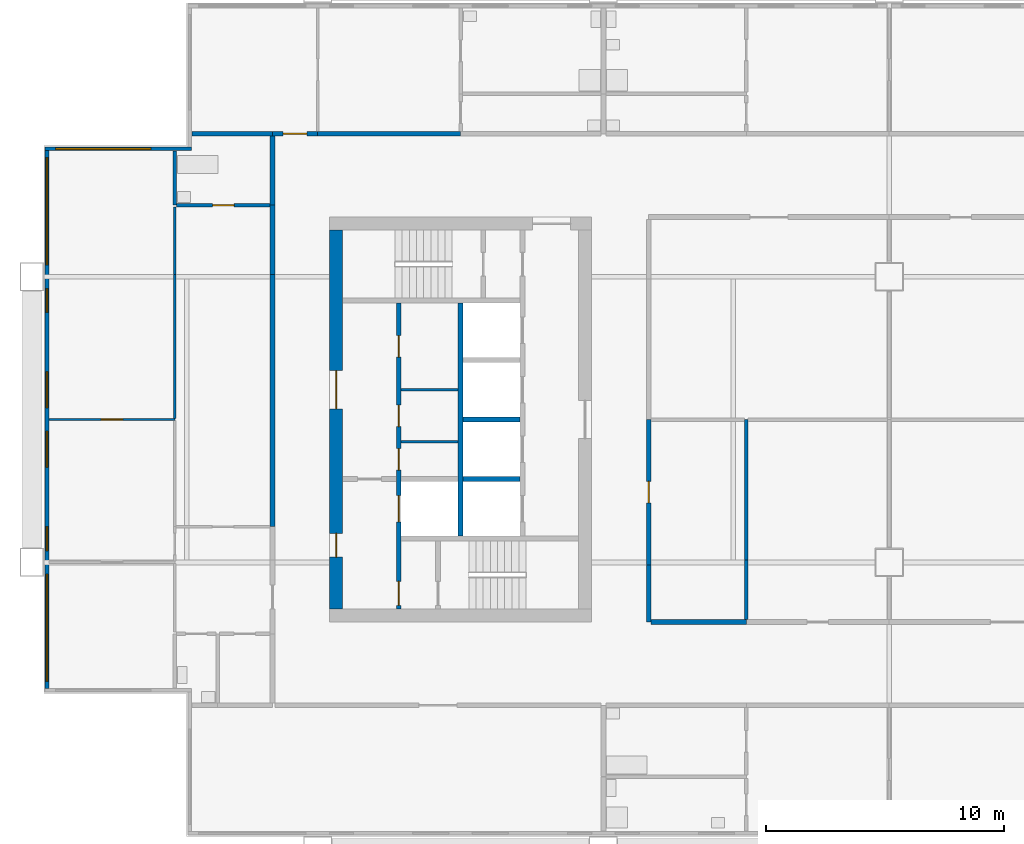
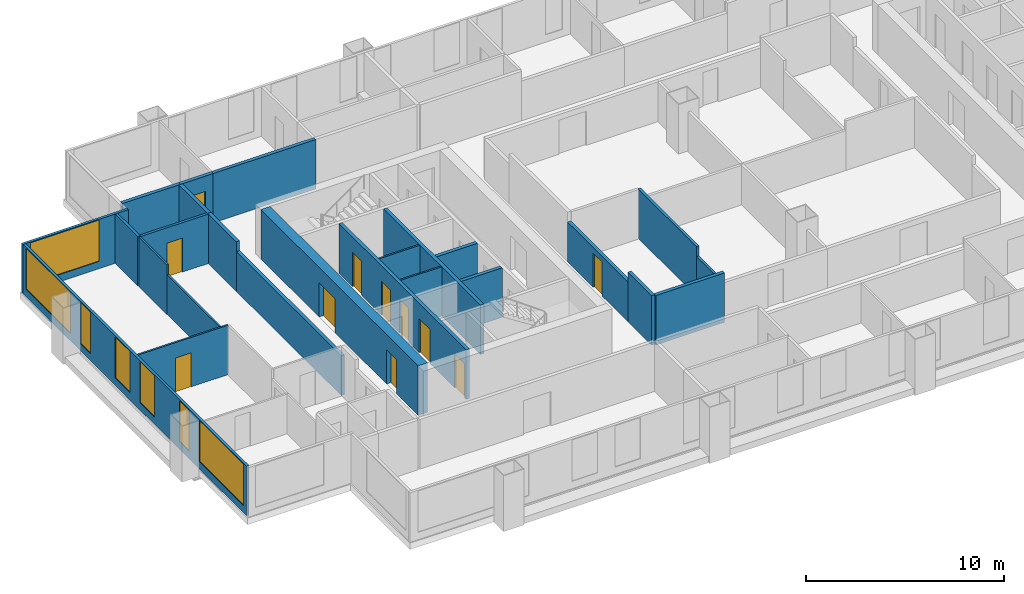
# One storey, part 3 of 9: 25 walls, 11 doors, 7 windows, 18 openings.
"""IFC4 building model written with IfcOpenShell, lengths in metres."""

import ifcopenshell
import ifcopenshell.guid

model = None  # the IFC model being written
_history = None  # IfcOwnerHistory: only IFC2X3 demands one
_inside = {}  # id of a spatial element -> (the spatial element, [elements in it])
_under = {}  # id of a project, library or spatial element -> (it, [spatial elements below it])
_declared = {}  # id of a project -> (the project, [libraries it declares])
_typed = {}  # id of a type object -> (the type object, [elements of that type])
_made_of = {}  # id of a material, layer set ... -> (it, [elements and type objects made of it])


def new_model(schema):
    """Start an empty IFC model of exactly this schema.

    Asked for "IFC4X3", IfcOpenShell would pick the latest addendum, in which some entities
    have other attributes; the version numbers below select the first issue.
    IFC2X3 requires an IfcOwnerHistory on every rooted entity: one is made here for all.
    """
    global model, _history
    if schema == "IFC4X3":
        model = ifcopenshell.file(schema_version=(4, 3, 0, 0))
    else:
        model = ifcopenshell.file(schema=schema)
    _inside.clear()
    _under.clear()
    _declared.clear()
    _typed.clear()
    _made_of.clear()
    _history = None
    if model.schema == "IFC2X3":
        org = make("IfcOrganization", Name="unknown")
        user = make(
            "IfcPersonAndOrganization",
            ThePerson=make("IfcPerson", FamilyName="unknown"),
            TheOrganization=org,
        )
        app = make(
            "IfcApplication",
            ApplicationDeveloper=org,
            Version="unknown",
            ApplicationFullName="unknown",
            ApplicationIdentifier="unknown",
        )
        _history = make(
            "IfcOwnerHistory",
            OwningUser=user,
            OwningApplication=app,
            ChangeAction="ADDED",
            CreationDate=0,
        )
    return model


def make(cls, **values):
    """One entity of the class cls with the attributes given. An attribute that is None is left unset."""
    return model.create_entity(
        cls, **{name: value for name, value in values.items() if value is not None}
    )


def rooted(cls, **values):
    """An entity with a GlobalId (a new one), such as an element, a storey or a relation."""
    return make(cls, GlobalId=ifcopenshell.guid.new(), OwnerHistory=_history, **values)


def si_unit(unit_type, name, prefix=None):
    """IfcSIUnit, for example si_unit("LENGTHUNIT", "METRE", prefix="MILLI")."""
    return make("IfcSIUnit", UnitType=unit_type, Prefix=prefix, Name=name)


def assignment(units):
    """IfcUnitAssignment: the units of a project."""
    return None if units is None else make("IfcUnitAssignment", Units=units)


def point(xyz):
    """IfcCartesianPoint."""
    return None if xyz is None else make("IfcCartesianPoint", Coordinates=xyz)


def direction(xyz):
    """IfcDirection."""
    return None if xyz is None else make("IfcDirection", DirectionRatios=xyz)


def frame(location, z_axis=None, x_axis=None):
    """IfcAxis2Placement3D, a coordinate frame: its origin and axes. An axis left out is left unset."""
    return make(
        "IfcAxis2Placement3D",
        Location=point(location),
        Axis=direction(z_axis),
        RefDirection=direction(x_axis),
    )


def frame_2d(location, x_axis=None):
    """IfcAxis2Placement2D, a coordinate frame in the plane: its origin and x axis."""
    return make(
        "IfcAxis2Placement2D", Location=point(location), RefDirection=direction(x_axis)
    )


def origin():
    """The frame at (0, 0, 0) with its axes left unset."""
    return frame((0.0, 0.0, 0.0))


def place(relative_to, where):
    """IfcLocalPlacement: puts the frame where relative to a parent placement (None: the world)."""
    return make(
        "IfcLocalPlacement", PlacementRelTo=relative_to, RelativePlacement=where
    )


def context(
    kind, dimensions, precision=None, world=None, true_north=None, identifier=None
):
    """IfcGeometricRepresentationContext, for example the 3D "Model" context."""
    return make(
        "IfcGeometricRepresentationContext",
        ContextIdentifier=identifier,
        ContextType=kind,
        CoordinateSpaceDimension=dimensions,
        Precision=precision,
        WorldCoordinateSystem=world,
        TrueNorth=true_north,
    )


def subcontext(parent, identifier, kind, view, scale=None):
    """IfcGeometricRepresentationSubContext, for example "Body" below "Model"."""
    return make(
        "IfcGeometricRepresentationSubContext",
        ContextIdentifier=identifier,
        ContextType=kind,
        ParentContext=parent,
        TargetScale=scale,
        TargetView=view,
    )


def project(units=None, contexts=None):
    """IfcProject with its units and contexts."""
    return rooted(
        "IfcProject",
        Name="project",
        RepresentationContexts=contexts,
        UnitsInContext=assignment(units),
    )


def spatial(cls, under=None, at=None, **own):
    """A site, building, storey or space (cls), placed at a placement, below another one or the project."""
    s = rooted(cls, ObjectPlacement=at, **own)
    if under is not None:
        _under.setdefault(under.id(), (under, []))[1].append(s)
    return s


def profile(cls, at=None, kind="AREA", **sizes):
    """A parametric profile (cls). Its sizes go by their IFC names, for example OverallWidth=200.0."""
    return make(cls, ProfileType=kind, Position=at, **sizes)


def rectangle(**sizes):
    """IfcRectangleProfileDef."""
    return profile("IfcRectangleProfileDef", **sizes)


def extrude(swept, where, along, depth):
    """IfcExtrudedAreaSolid: the profile swept, set in the frame where, extruded along a direction by depth."""
    return make(
        "IfcExtrudedAreaSolid",
        SweptArea=swept,
        Position=where,
        ExtrudedDirection=direction(along),
        Depth=depth,
    )


def shape(context_of_items, identifier, shape_type, items):
    """IfcShapeRepresentation: the items that make up one representation, for example the "Body"."""
    return make(
        "IfcShapeRepresentation",
        ContextOfItems=context_of_items,
        RepresentationIdentifier=identifier,
        RepresentationType=shape_type,
        Items=items,
    )


def material(Name=None, Category=None):
    """IfcMaterial."""
    return make("IfcMaterial", Name=Name, Category=Category)


def layer(
    of_material, thickness, ventilated=None, Name=None, Category=None, Priority=None
):
    """IfcMaterialLayer: one layer of a wall or slab, of a material (None: an air gap)."""
    return make(
        "IfcMaterialLayer",
        Material=of_material,
        LayerThickness=thickness,
        IsVentilated=ventilated,
        Name=Name,
        Category=Category,
        Priority=Priority,
    )


def layer_set(layers, Name=None):
    """IfcMaterialLayerSet."""
    return make("IfcMaterialLayerSet", MaterialLayers=layers, LayerSetName=Name)


def made_of(thing, what):
    """Note that an element or type object is made of a material, layer set ...; save() writes the relation."""
    if what is not None:
        _made_of.setdefault(what.id(), (what, []))[1].append(thing)
    return thing


def type_object(cls, material=None, **own):
    """A type object (cls), such as IfcWallType, which elements share."""
    return made_of(rooted(cls, **own), material)


def element(
    cls,
    number,
    at=None,
    inside=None,
    cuts=None,
    type_object=None,
    material=None,
    context=None,
    identifier="Body",
    shape_type=None,
    held_by="IfcProductDefinitionShape",
    body=None,
    shapes=None,
    **own,
):
    """One element of the class cls, such as IfcWall. Its Tag is "e" and its number.

    at: its placement. inside: the storey or other place that contains it. cuts: it is an
    opening in that element (IfcRelVoidsElement). A single representation is given by context,
    identifier, shape_type and body (its items); several are given by shapes. held_by: the class
    of the entity that holds the representations. save() writes the other relations.
    """
    e = rooted(cls, Tag="e%d" % number, ObjectPlacement=at, **own)
    if body is not None:
        shapes = [shape(context, identifier, shape_type, body)]
    if shapes is not None:
        e.Representation = make(held_by, Representations=shapes)
    if inside is not None:
        _inside.setdefault(inside.id(), (inside, []))[1].append(e)
    if cuts is not None:
        rooted(
            "IfcRelVoidsElement", RelatingBuildingElement=cuts, RelatedOpeningElement=e
        )
    if type_object is not None:
        _typed.setdefault(type_object.id(), (type_object, []))[1].append(e)
    return made_of(e, material)


def fill(opening, filler):
    """IfcRelFillsElement: the door or window that sits in an opening."""
    return rooted(
        "IfcRelFillsElement",
        RelatingOpeningElement=opening,
        RelatedBuildingElement=filler,
    )


def aggregate(whole, parts):
    """IfcRelAggregates: a whole, such as a stair, and the parts it consists of."""
    return rooted("IfcRelAggregates", RelatingObject=whole, RelatedObjects=parts)


def save(model, path):
    """Write the relations noted so far, then the file.

    IfcRelAggregates (storeys below a building ...), IfcRelContainedInSpatialStructure (elements
    in a storey), IfcRelDefinesByType, IfcRelAssociatesMaterial and IfcRelDeclares: one each for
    every whole, place, type object, material and project.
    """
    for whole, parts in _under.values():
        aggregate(whole, parts)
    for where, things in _inside.values():
        rooted(
            "IfcRelContainedInSpatialStructure",
            RelatedElements=things,
            RelatingStructure=where,
        )
    for kind, things in _typed.values():
        rooted("IfcRelDefinesByType", RelatedObjects=things, RelatingType=kind)
    for what, things in _made_of.values():
        rooted("IfcRelAssociatesMaterial", RelatedObjects=things, RelatingMaterial=what)
    for by, libraries in _declared.values():
        rooted("IfcRelDeclares", RelatingContext=by, RelatedDefinitions=libraries)
    model.write(path)


model = new_model("IFC4")

# Units and contexts
model_context = context("Model", 3, precision=1e-05, world=origin(), true_north=direction((0.0, 1.0)))
body_context = subcontext(model_context, "Body", "Model", "MODEL_VIEW")
ifc_project = project(units=[si_unit("LENGTHUNIT", "METRE"), si_unit("AREAUNIT", "SQUARE_METRE"), si_unit("VOLUMEUNIT", "CUBIC_METRE"), si_unit("PLANEANGLEUNIT", "RADIAN"), si_unit("MASSUNIT", "GRAM", prefix="KILO")], contexts=[model_context])

# Site, building, storey
site_placement = place(None, origin())
site = spatial("IfcSite", under=ifc_project, at=site_placement, CompositionType="ELEMENT")
building_placement = place(site_placement, origin())
building = spatial("IfcBuilding", under=site, at=building_placement, Name="Kitamizu Gate Tower and Museum", CompositionType="ELEMENT")
storey_placement = place(building_placement, frame((0.0, 0.0, 206.550048828125)))
storey = spatial("IfcBuildingStorey", under=building, at=storey_placement, Name="L55", CompositionType="ELEMENT", Elevation=206.550048828125)

# Wall, openings, doors
ifc_material_1 = material(Name="Concrete Fc42", Category="concrete")
ifc_layer_1 = layer(ifc_material_1, 0.550048828125)
ifc_layer_set_1 = layer_set([ifc_layer_1], Name="Concrete Fc42")
wall_type_1 = type_object("IfcWallType", Name="Core wall 550", PredefinedType="SHEAR", material=ifc_layer_set_1)
wall_1_placement = place(storey_placement, frame((12.77490234375, 22.050048828125, 0.0), z_axis=(0.0, 0.0, 1.0), x_axis=(0.0, 1.0, 0.0)))
wall_1 = element("IfcWall", 1, at=wall_1_placement, inside=storey, type_object=wall_type_1, Name="Core wall WOUT", PredefinedType="SHEAR", context=body_context, shape_type="SweptSolid", body=[
    extrude(rectangle(XDim=15.89990234375, YDim=0.550048828125, at=frame_2d((7.949951171875, 0.0))), origin(), (0.0, 0.0, 1.0), 3.050048828125),
])
opening_1_placement = place(wall_1_placement, frame((8.39990234375, 0.0, 0.0)))
opening_1 = element("IfcOpeningElement", 2, at=opening_1_placement, cuts=wall_1, Name="Opening L55-037", PredefinedType="OPENING", context=body_context, shape_type="SweptSolid", body=[
    extrude(rectangle(XDim=1.60009765625, YDim=2.10009765625, at=frame_2d((0.800048828125, 1.050048828125))), frame((0.0, 0.28515625, 0.0), z_axis=(0.0, -1.0, 0.0), x_axis=(1.0, 0.0, 0.0)), (0.0, 0.0, 1.0), 0.570068359375),
])
opening_2_placement = place(wall_1_placement, frame((2.175048828125, 0.0, 0.0)))
opening_2 = element("IfcOpeningElement", 3, at=opening_2_placement, cuts=wall_1, Name="Opening L55-038", PredefinedType="OPENING", context=body_context, shape_type="SweptSolid", body=[
    extrude(rectangle(XDim=1.0, YDim=2.10009765625, at=frame_2d((0.5, 1.050048828125))), frame((0.0, 0.28515625, 0.0), z_axis=(0.0, -1.0, 0.0), x_axis=(1.0, 0.0, 0.0)), (0.0, 0.0, 1.0), 0.570068359375),
])
ifc_material_2 = material(Name="Timber door set", Category="wood")
door_type_1 = type_object("IfcDoorType", Name="Entrance door 1600", OperationType="DOUBLE_DOOR_SINGLE_SWING", PredefinedType="DOOR", material=ifc_material_2)
door_1_placement = place(opening_1_placement, origin())
door_1 = element("IfcDoor", 4, at=door_1_placement, inside=storey, type_object=door_type_1, Name="Lobby door L55-037", OperationType="DOUBLE_DOOR_SINGLE_SWING", OverallHeight=2.10009765625, OverallWidth=1.60009765625, PredefinedType="DOOR", context=body_context, shape_type="SweptSolid", body=[
    extrude(rectangle(XDim=1.60009765625, YDim=2.10009765625, at=frame_2d((0.800048828125, 1.050048828125))), frame((0.0, 0.02490234375, 0.0), z_axis=(0.0, -1.0, 0.0), x_axis=(1.0, 0.0, 0.0)), (0.0, 0.0, 1.0), 0.050048828125),
])
fill(opening_1, door_1)
ifc_material_3 = material(Name="Hollow metal door set")
door_type_2 = type_object("IfcDoorType", Name="Fire door 1000", OperationType="NOTDEFINED", PredefinedType="DOOR", material=ifc_material_3)
door_2_placement = place(opening_2_placement, frame((1.0, 0.0, 0.0), x_axis=(-1.0, 0.0, 0.0)))
door_2 = element("IfcDoor", 5, at=door_2_placement, inside=storey, type_object=door_type_2, Name="Fire-fighting lobby door L55-038", OperationType="SINGLE_SWING_LEFT", OverallHeight=2.10009765625, OverallWidth=1.0, PredefinedType="DOOR", context=body_context, shape_type="SweptSolid", body=[
    extrude(rectangle(XDim=1.0, YDim=2.10009765625, at=frame_2d((0.5, 1.050048828125))), frame((0.0, 0.02490234375, 0.0), z_axis=(0.0, -1.0, 0.0), x_axis=(1.0, 0.0, 0.0)), (0.0, 0.0, 1.0), 0.050048828125),
])
fill(opening_2, door_2)

# Walls
ifc_material_4 = material(Name="Gypsum board on galvanised stud")
ifc_layer_2 = layer(ifc_material_4, 0.10009765625)
ifc_layer_set_2 = layer_set([ifc_layer_2], Name="Gypsum board on galvanised stud")
wall_type_2 = type_object("IfcWallType", Name="Partition 100", PredefinedType="PARTITIONING", material=ifc_layer_set_2)
for number, where, z_axis, x_axis, name in (
    (6, (15.5, 29.06005859375, 0.0), (0.0, 0.0, 1.0), (1.0, 0.0, 0.0), "Partition WPF1"),
    (7, (15.5, 31.25, 0.0), (0.0, 0.0, 1.0), (1.0, 0.0, 0.0), "Partition WPF2"),
):
    element("IfcWall", number, at=place(storey_placement, frame(where, z_axis=z_axis, x_axis=x_axis)), inside=storey, type_object=wall_type_2, Name=name, PredefinedType="PARTITIONING", context=body_context, shape_type="SweptSolid", body=[
        extrude(rectangle(XDim=2.39990234375, YDim=0.10009765625, at=frame_2d((1.199951171875, 0.0))), origin(), (0.0, 0.0, 1.0), 3.050048828125),
    ])

# Wall, opening, door
ifc_material_5 = material(Name="Gypsum board on galvanised stud")
ifc_layer_3 = layer(ifc_material_5, 0.10009765625)
ifc_layer_set_3 = layer_set([ifc_layer_3], Name="Gypsum board on galvanised stud")
wall_type_3 = type_object("IfcWallType", Name="Partition 100 NOT RATED", PredefinedType="PARTITIONING", material=ifc_layer_set_3)
wall_2_placement = place(storey_placement, frame((6.0, 30.0, 0.0), z_axis=(0.0, 0.0, 1.0), x_axis=(-1.0, 0.0, 0.0)))
wall_2 = element("IfcWall", 8, at=wall_2_placement, inside=storey, type_object=wall_type_3, Name="Partition L55-038", PredefinedType="PARTITIONING", context=body_context, shape_type="SweptSolid", body=[
    extrude(rectangle(XDim=5.280029296875, YDim=0.10009765625, at=frame_2d((2.64013671875, 0.0))), origin(), (0.0, 0.0, 1.0), 3.050048828125),
])
opening_3_placement = place(wall_2_placement, frame((2.18994140625, 0.0, 0.0)))
opening_3 = element("IfcOpeningElement", 9, at=opening_3_placement, cuts=wall_2, Name="Opening L55-020", PredefinedType="OPENING", context=body_context, shape_type="SweptSolid", body=[
    extrude(rectangle(XDim=0.89990234375, YDim=2.10009765625, at=frame_2d((0.449951171875, 1.050048828125))), frame((0.0, 0.06005859375, 0.0), z_axis=(0.0, -1.0, 0.0), x_axis=(1.0, 0.0, 0.0)), (0.0, 0.0, 1.0), 0.1201171875),
])
ifc_material_6 = material(Name="Timber door set", Category="wood")
door_type_3 = type_object("IfcDoorType", Name="Room door 900", OperationType="NOTDEFINED", PredefinedType="DOOR", material=ifc_material_6)
door_3_placement = place(opening_3_placement, origin())
door_3 = element("IfcDoor", 10, at=door_3_placement, inside=storey, type_object=door_type_3, Name="Door L55-020", OperationType="SINGLE_SWING_RIGHT", OverallHeight=2.10009765625, OverallWidth=0.89990234375, PredefinedType="DOOR", context=body_context, shape_type="SweptSolid", body=[
    extrude(rectangle(XDim=0.89990234375, YDim=2.10009765625, at=frame_2d((0.449951171875, 1.050048828125))), frame((0.0, 0.02490234375, 0.0), z_axis=(0.0, -1.0, 0.0), x_axis=(1.0, 0.0, 0.0)), (0.0, 0.0, 1.0), 0.050048828125),
])
fill(opening_3, door_3)

# Walls
wall_3_placement = place(storey_placement, frame((6.0, 30.050048828125, 0.0), z_axis=(0.0, 0.0, 1.0), x_axis=(0.0, 1.0, 0.0)))
element("IfcWall", 11, at=wall_3_placement, inside=storey, type_object=wall_type_3, Name="Partition L55-041", PredefinedType="PARTITIONING", context=body_context, shape_type="SweptSolid", body=[
    extrude(rectangle(XDim=6.050048828125, YDim=0.10009765625, at=frame_2d((3.02490234375, 0.0))), origin(), (0.0, 0.0, 1.0), 2.449951171875),
])
wall_4_placement = place(storey_placement, frame((6.0, 36.10009765625, 0.0), z_axis=(0.0, 0.0, 1.0), x_axis=(0.0, 1.0, 0.0)))
element("IfcWall", 12, at=wall_4_placement, inside=storey, type_object=wall_type_3, Name="Partition L55-042", PredefinedType="PARTITIONING", context=body_context, shape_type="SweptSolid", body=[
    extrude(rectangle(XDim=2.824951171875, YDim=0.10009765625, at=frame_2d((1.41259765625, 0.0))), origin(), (0.0, 0.0, 1.0), 3.050048828125),
])
ifc_material_7 = material(Name="Gypsum board on galvanised stud")
ifc_layer_4 = layer(ifc_material_7, 0.14990234375)
ifc_layer_set_4 = layer_set([ifc_layer_4], Name="Gypsum board on galvanised stud")
wall_type_4 = type_object("IfcWallType", Name="Partition 150", PredefinedType="PARTITIONING", material=ifc_layer_set_4)
wall_5_placement = place(storey_placement, frame((6.0, 39.0, 0.0), z_axis=(0.0, 0.0, 1.0), x_axis=(0.0, 1.0, 0.0)))
element("IfcWall", 13, at=wall_5_placement, inside=storey, type_object=wall_type_4, Name="Partition L55-043", PredefinedType="PARTITIONING", context=body_context, shape_type="SweptSolid", body=[
    extrude(rectangle(XDim=2.280029296875, YDim=0.14990234375, at=frame_2d((1.14013671875, 0.0))), origin(), (0.0, 0.0, 1.0), 3.050048828125),
])

# Wall, opening, door
wall_6_placement = place(storey_placement, frame((10.0, 39.0, 0.0), z_axis=(0.0, 0.0, 1.0), x_axis=(-1.0, 0.0, 0.0)))
wall_6 = element("IfcWall", 14, at=wall_6_placement, inside=storey, type_object=wall_type_4, Name="Partition L55-053", PredefinedType="PARTITIONING", context=body_context, shape_type="SweptSolid", body=[
    extrude(rectangle(XDim=3.925048828125, YDim=0.14990234375, at=frame_2d((1.96240234375, 0.0))), origin(), (0.0, 0.0, 1.0), 3.050048828125),
])
opening_4_placement = place(wall_6_placement, frame((1.512451171875, 0.0, 0.0)))
opening_4 = element("IfcOpeningElement", 15, at=opening_4_placement, cuts=wall_6, Name="Opening L55-024", PredefinedType="OPENING", context=body_context, shape_type="SweptSolid", body=[
    extrude(rectangle(XDim=0.89990234375, YDim=2.10009765625, at=frame_2d((0.449951171875, 1.050048828125))), frame((0.0, 0.0849609375, 0.0), z_axis=(0.0, -1.0, 0.0), x_axis=(1.0, 0.0, 0.0)), (0.0, 0.0, 1.0), 0.169921875),
])
ifc_material_8 = material(Name="Timber door set", Category="wood")
door_type_4 = type_object("IfcDoorType", Name="Bathroom door 900", OperationType="NOTDEFINED", PredefinedType="DOOR", material=ifc_material_8)
door_4_placement = place(opening_4_placement, frame((0.89990234375, 0.0, 0.0), x_axis=(-1.0, 0.0, 0.0)))
door_4 = element("IfcDoor", 16, at=door_4_placement, inside=storey, type_object=door_type_4, Name="Bathroom door L55-024", OperationType="SINGLE_SWING_LEFT", OverallHeight=2.10009765625, OverallWidth=0.89990234375, PredefinedType="DOOR", context=body_context, shape_type="SweptSolid", body=[
    extrude(rectangle(XDim=0.89990234375, YDim=2.10009765625, at=frame_2d((0.449951171875, 1.050048828125))), frame((0.0, 0.02490234375, 0.0), z_axis=(0.0, -1.0, 0.0), x_axis=(1.0, 0.0, 0.0)), (0.0, 0.0, 1.0), 0.050048828125),
])
fill(opening_4, door_4)

# Walls
wall_7_placement = place(storey_placement, frame((30.0, 21.60009765625, 0.0), z_axis=(0.0, 0.0, 1.0), x_axis=(0.0, 1.0, 0.0)))
element("IfcWall", 17, at=wall_7_placement, inside=storey, type_object=wall_type_4, Name="Partition L55-072", PredefinedType="PARTITIONING", context=body_context, shape_type="SweptSolid", body=[
    extrude(rectangle(XDim=2.5, YDim=0.14990234375, at=frame_2d((1.25, 0.0))), origin(), (0.0, 0.0, 1.0), 2.449951171875),
])
wall_8_placement = place(storey_placement, frame((30.0, 24.10009765625, 0.0), z_axis=(0.0, 0.0, 1.0), x_axis=(0.0, 1.0, 0.0)))
element("IfcWall", 18, at=wall_8_placement, inside=storey, type_object=wall_type_4, Name="Partition L55-073", PredefinedType="PARTITIONING", context=body_context, shape_type="SweptSolid", body=[
    extrude(rectangle(XDim=5.89990234375, YDim=0.14990234375, at=frame_2d((2.949951171875, 0.0))), origin(), (0.0, 0.0, 1.0), 3.050048828125),
])
ifc_material_9 = material(Name="Gypsum board on galvanised stud")
ifc_layer_5 = layer(ifc_material_9, 0.199951171875)
ifc_layer_set_5 = layer_set([ifc_layer_5], Name="Gypsum board on galvanised stud")
wall_type_5 = type_object("IfcWallType", Name="Partition 200", PredefinedType="PARTITIONING", material=ifc_layer_set_5)
wall_9_placement = place(storey_placement, frame((6.719970703125, 42.0, 0.0), z_axis=(0.0, 0.0, 1.0), x_axis=(1.0, 0.0, 0.0)))
element("IfcWall", 19, at=wall_9_placement, inside=storey, type_object=wall_type_5, Name="Partition L55-015", PredefinedType="PARTITIONING", context=body_context, shape_type="SweptSolid", body=[
    extrude(rectangle(XDim=3.380126953125, YDim=0.199951171875, at=frame_2d((1.68994140625, 0.0))), origin(), (0.0, 0.0, 1.0), 3.050048828125),
])

# Wall, opening, door
wall_10_placement = place(storey_placement, frame((10.10009765625, 42.0, 0.0), z_axis=(0.0, 0.0, 1.0), x_axis=(1.0, 0.0, 0.0)))
wall_10 = element("IfcWall", 20, at=wall_10_placement, inside=storey, type_object=wall_type_5, Name="Partition L55-016", PredefinedType="PARTITIONING", context=body_context, shape_type="SweptSolid", body=[
    extrude(rectangle(XDim=1.89990234375, YDim=0.199951171875, at=frame_2d((0.949951171875, 0.0))), origin(), (0.0, 0.0, 1.0), 3.050048828125),
])
opening_5_placement = place(wall_10_placement, frame((0.449951171875, 0.0, 0.0)))
opening_5 = element("IfcOpeningElement", 21, at=opening_5_placement, cuts=wall_10, Name="Opening L55-007", PredefinedType="OPENING", context=body_context, shape_type="SweptSolid", body=[
    extrude(rectangle(XDim=1.0, YDim=2.10009765625, at=frame_2d((0.5, 1.050048828125))), frame((0.0, 0.10986328125, 0.0), z_axis=(0.0, -1.0, 0.0), x_axis=(1.0, 0.0, 0.0)), (0.0, 0.0, 1.0), 0.219970703125),
])
ifc_material_10 = material(Name="Timber door set", Category="wood")
door_type_5 = type_object("IfcDoorType", Name="Flat entrance door 1000", OperationType="NOTDEFINED", PredefinedType="DOOR", material=ifc_material_10)
door_5_placement = place(opening_5_placement, origin())
door_5 = element("IfcDoor", 22, at=door_5_placement, inside=storey, type_object=door_type_5, Name="Flat entrance door L55-007", OperationType="SINGLE_SWING_LEFT", OverallHeight=2.10009765625, OverallWidth=1.0, PredefinedType="DOOR", context=body_context, shape_type="SweptSolid", body=[
    extrude(rectangle(XDim=1.0, YDim=2.10009765625, at=frame_2d((0.5, 1.050048828125))), frame((0.0, 0.02490234375, 0.0), z_axis=(0.0, -1.0, 0.0), x_axis=(1.0, 0.0, 0.0)), (0.0, 0.0, 1.0), 0.050048828125),
])
fill(opening_5, door_5)

# Walls
wall_11_placement = place(storey_placement, frame((12.0, 42.0, 0.0), z_axis=(0.0, 0.0, 1.0), x_axis=(1.0, 0.0, 0.0)))
element("IfcWall", 23, at=wall_11_placement, inside=storey, type_object=wall_type_5, Name="Partition L55-019", PredefinedType="PARTITIONING", context=body_context, shape_type="SweptSolid", body=[
    extrude(rectangle(XDim=6.0, YDim=0.199951171875, at=frame_2d((3.0, 0.0))), origin(), (0.0, 0.0, 1.0), 3.050048828125),
])
wall_12_placement = place(storey_placement, frame((10.10009765625, 25.5, 0.0), z_axis=(0.0, 0.0, 1.0), x_axis=(0.0, 1.0, 0.0)))
element("IfcWall", 24, at=wall_12_placement, inside=storey, type_object=wall_type_5, Name="Partition L55-054", PredefinedType="PARTITIONING", context=body_context, shape_type="SweptSolid", body=[
    extrude(rectangle(XDim=10.60009765625, YDim=0.199951171875, at=frame_2d((5.300048828125, 0.0))), origin(), (0.0, 0.0, 1.0), 2.449951171875),
])
for number, where, z_axis, x_axis, name in (
    (25, (10.10009765625, 36.10009765625, 0.0), (0.0, 0.0, 1.0), (0.0, 1.0, 0.0), "Partition L55-055"),
    (26, (10.10009765625, 39.0, 0.0), (0.0, 0.0, 1.0), (0.0, 1.0, 0.0), "Partition L55-056"),
):
    element("IfcWall", number, at=place(storey_placement, frame(where, z_axis=z_axis, x_axis=x_axis)), inside=storey, type_object=wall_type_5, Name=name, PredefinedType="PARTITIONING", context=body_context, shape_type="SweptSolid", body=[
        extrude(rectangle(XDim=2.89990234375, YDim=0.199951171875, at=frame_2d((1.449951171875, 0.0))), origin(), (0.0, 0.0, 1.0), 3.050048828125),
    ])

# Wall, opening, door
wall_13_placement = place(storey_placement, frame((25.89990234375, 30.0, 0.0), z_axis=(0.0, 0.0, 1.0), x_axis=(0.0, -1.0, 0.0)))
wall_13 = element("IfcWall", 27, at=wall_13_placement, inside=storey, type_object=wall_type_5, Name="Partition L55-058", PredefinedType="PARTITIONING", context=body_context, shape_type="SweptSolid", body=[
    extrude(rectangle(XDim=6.10009765625, YDim=0.199951171875, at=frame_2d((3.050048828125, 0.0))), origin(), (0.0, 0.0, 1.0), 2.449951171875),
])
opening_6_placement = place(wall_13_placement, frame((2.60009765625, 0.0, 0.0)))
opening_6 = element("IfcOpeningElement", 28, at=opening_6_placement, cuts=wall_13, Name="Opening L55-026", PredefinedType="OPENING", context=body_context, shape_type="SweptSolid", body=[
    extrude(rectangle(XDim=0.89990234375, YDim=2.10009765625, at=frame_2d((0.449951171875, 1.050048828125))), frame((0.0, 0.10986328125, 0.0), z_axis=(0.0, -1.0, 0.0), x_axis=(1.0, 0.0, 0.0)), (0.0, 0.0, 1.0), 0.219970703125),
])
door_6_placement = place(opening_6_placement, origin())
door_6 = element("IfcDoor", 29, at=door_6_placement, inside=storey, type_object=door_type_3, Name="Door L55-026", OperationType="SINGLE_SWING_LEFT", OverallHeight=2.10009765625, OverallWidth=0.89990234375, PredefinedType="DOOR", context=body_context, shape_type="SweptSolid", body=[
    extrude(rectangle(XDim=0.89990234375, YDim=2.10009765625, at=frame_2d((0.449951171875, 1.050048828125))), frame((0.0, 0.02490234375, 0.0), z_axis=(0.0, -1.0, 0.0), x_axis=(1.0, 0.0, 0.0)), (0.0, 0.0, 1.0), 0.050048828125),
])
fill(opening_6, door_6)

# Walls
wall_14_placement = place(storey_placement, frame((25.89990234375, 23.89990234375, 0.0), z_axis=(0.0, 0.0, 1.0), x_axis=(0.0, -1.0, 0.0)))
element("IfcWall", 30, at=wall_14_placement, inside=storey, type_object=wall_type_5, Name="Partition L55-059", PredefinedType="PARTITIONING", context=body_context, shape_type="SweptSolid", body=[
    extrude(rectangle(XDim=2.39990234375, YDim=0.199951171875, at=frame_2d((1.199951171875, 0.0))), origin(), (0.0, 0.0, 1.0), 3.050048828125),
])
wall_15_placement = place(storey_placement, frame((26.0, 21.5, 0.0), z_axis=(0.0, 0.0, 1.0), x_axis=(1.0, 0.0, 0.0)))
element("IfcWall", 31, at=wall_15_placement, inside=storey, type_object=wall_type_5, Name="Partition L55-060", PredefinedType="PARTITIONING", context=body_context, shape_type="SweptSolid", body=[
    extrude(rectangle(XDim=4.0, YDim=0.199951171875, at=frame_2d((2.0, 0.0))), origin(), (0.0, 0.0, 1.0), 3.050048828125),
])

# Wall, openings, doors
ifc_material_11 = material(Name="Concrete Fc42", Category="concrete")
ifc_layer_6 = layer(ifc_material_11, 0.199951171875)
ifc_layer_set_6 = layer_set([ifc_layer_6], Name="Concrete Fc42")
wall_type_6 = type_object("IfcWallType", Name="Shaft wall 200", PredefinedType="SOLIDWALL", material=ifc_layer_set_6)
wall_16_placement = place(storey_placement, frame((15.39990234375, 22.050048828125, 0.0), z_axis=(0.0, 0.0, 1.0), x_axis=(0.0, 1.0, 0.0)))
wall_16 = element("IfcWall", 32, at=wall_16_placement, inside=storey, type_object=wall_type_6, Name="Shaft wall WWEST", PredefinedType="SOLIDWALL", context=body_context, shape_type="SweptSolid", body=[
    extrude(rectangle(XDim=12.849853515625, YDim=0.199951171875, at=frame_2d((6.4248046875, 0.0))), origin(), (0.0, 0.0, 1.0), 3.050048828125),
])
opening_7_placement = place(wall_16_placement, frame((3.64990234375, 0.0, 0.0)))
opening_7 = element("IfcOpeningElement", 33, at=opening_7_placement, cuts=wall_16, Name="Opening LD", PredefinedType="OPENING", context=body_context, shape_type="SweptSolid", body=[
    extrude(rectangle(XDim=1.10009765625, YDim=2.10009765625, at=frame_2d((0.550048828125, 1.050048828125))), frame((0.0, 0.10986328125, 0.0), z_axis=(0.0, -1.0, 0.0), x_axis=(1.0, 0.0, 0.0)), (0.0, 0.0, 1.0), 0.219970703125),
])
opening_8_placement = place(wall_16_placement, frame((0.14990234375, 0.0, 0.0)))
opening_8 = element("IfcOpeningElement", 34, at=opening_8_placement, cuts=wall_16, Name="Opening L55-033", PredefinedType="OPENING", context=body_context, shape_type="SweptSolid", body=[
    extrude(rectangle(XDim=1.0, YDim=2.10009765625, at=frame_2d((0.5, 1.050048828125))), frame((0.0, 0.10986328125, 0.0), z_axis=(0.0, -1.0, 0.0), x_axis=(1.0, 0.0, 0.0)), (0.0, 0.0, 1.0), 0.219970703125),
])
opening_9_placement = place(wall_16_placement, frame((5.830078125, 0.0, 0.0)))
opening_9 = element("IfcOpeningElement", 35, at=opening_9_placement, cuts=wall_16, Name="Opening L55-041", PredefinedType="OPENING", context=body_context, shape_type="SweptSolid", body=[
    extrude(rectangle(XDim=0.89990234375, YDim=2.10009765625, at=frame_2d((0.449951171875, 1.050048828125))), frame((0.0, 0.10986328125, 0.0), z_axis=(0.0, -1.0, 0.0), x_axis=(1.0, 0.0, 0.0)), (0.0, 0.0, 1.0), 0.219970703125),
])
opening_10_placement = place(wall_16_placement, frame((7.655029296875, 0.0, 0.0)))
opening_10 = element("IfcOpeningElement", 36, at=opening_10_placement, cuts=wall_16, Name="Opening L55-042", PredefinedType="OPENING", context=body_context, shape_type="SweptSolid", body=[
    extrude(rectangle(XDim=0.89990234375, YDim=2.10009765625, at=frame_2d((0.449951171875, 1.050048828125))), frame((0.0, 0.10986328125, 0.0), z_axis=(0.0, -1.0, 0.0), x_axis=(1.0, 0.0, 0.0)), (0.0, 0.0, 1.0), 0.219970703125),
])
opening_11_placement = place(wall_16_placement, frame((10.574951171875, 0.0, 0.0)))
opening_11 = element("IfcOpeningElement", 37, at=opening_11_placement, cuts=wall_16, Name="Opening L55-043", PredefinedType="OPENING", context=body_context, shape_type="SweptSolid", body=[
    extrude(rectangle(XDim=0.89990234375, YDim=2.10009765625, at=frame_2d((0.449951171875, 1.050048828125))), frame((0.0, 0.10986328125, 0.0), z_axis=(0.0, -1.0, 0.0), x_axis=(1.0, 0.0, 0.0)), (0.0, 0.0, 1.0), 0.219970703125),
])
door_7_placement = place(opening_8_placement, frame((1.0, 0.0, 0.0), x_axis=(-1.0, 0.0, 0.0)))
door_7 = element("IfcDoor", 38, at=door_7_placement, inside=storey, type_object=door_type_2, Name="Stair lobby door L55-033", OperationType="SINGLE_SWING_LEFT", OverallHeight=2.10009765625, OverallWidth=1.0, PredefinedType="DOOR", context=body_context, shape_type="SweptSolid", body=[
    extrude(rectangle(XDim=1.0, YDim=2.10009765625, at=frame_2d((0.5, 1.050048828125))), frame((0.0, 0.02490234375, 0.0), z_axis=(0.0, -1.0, 0.0), x_axis=(1.0, 0.0, 0.0)), (0.0, 0.0, 1.0), 0.050048828125),
])
fill(opening_8, door_7)
ifc_material_12 = material(Name="Hollow metal door set")
door_type_6 = type_object("IfcDoorType", Name="Landing door 1100", OperationType="SLIDING_TO_LEFT", PredefinedType="DOOR", material=ifc_material_12)
door_8_placement = place(opening_7_placement, origin())
door_8 = element("IfcDoor", 39, at=door_8_placement, inside=storey, type_object=door_type_6, Name="Landing door WFF1", OperationType="SLIDING_TO_LEFT", OverallHeight=2.10009765625, OverallWidth=1.10009765625, PredefinedType="DOOR", context=body_context, shape_type="SweptSolid", body=[
    extrude(rectangle(XDim=1.10009765625, YDim=2.10009765625, at=frame_2d((0.550048828125, 1.050048828125))), frame((0.0, 0.02490234375, 0.0), z_axis=(0.0, -1.0, 0.0), x_axis=(1.0, 0.0, 0.0)), (0.0, 0.0, 1.0), 0.050048828125),
])
fill(opening_7, door_8)
ifc_material_13 = material(Name="Timber door set", Category="wood")
door_type_7 = type_object("IfcDoorType", Name="Service door 900", OperationType="NOTDEFINED", PredefinedType="DOOR", material=ifc_material_13)
door_9_placement = place(opening_9_placement, frame((0.89990234375, 0.0, 0.0), x_axis=(-1.0, 0.0, 0.0)))
door_9 = element("IfcDoor", 40, at=door_9_placement, inside=storey, type_object=door_type_7, Name="Service door L55-041", OperationType="SINGLE_SWING_RIGHT", OverallHeight=2.10009765625, OverallWidth=0.89990234375, PredefinedType="DOOR", context=body_context, shape_type="SweptSolid", body=[
    extrude(rectangle(XDim=0.89990234375, YDim=2.10009765625, at=frame_2d((0.449951171875, 1.050048828125))), frame((0.0, 0.02490234375, 0.0), z_axis=(0.0, -1.0, 0.0), x_axis=(1.0, 0.0, 0.0)), (0.0, 0.0, 1.0), 0.050048828125),
])
fill(opening_9, door_9)
door_10_placement = place(opening_10_placement, frame((0.89990234375, 0.0, 0.0), x_axis=(-1.0, 0.0, 0.0)))
door_10 = element("IfcDoor", 41, at=door_10_placement, inside=storey, type_object=door_type_7, Name="Service door L55-042", OperationType="SINGLE_SWING_LEFT", OverallHeight=2.10009765625, OverallWidth=0.89990234375, PredefinedType="DOOR", context=body_context, shape_type="SweptSolid", body=[
    extrude(rectangle(XDim=0.89990234375, YDim=2.10009765625, at=frame_2d((0.449951171875, 1.050048828125))), frame((0.0, 0.02490234375, 0.0), z_axis=(0.0, -1.0, 0.0), x_axis=(1.0, 0.0, 0.0)), (0.0, 0.0, 1.0), 0.050048828125),
])
fill(opening_10, door_10)
door_11_placement = place(opening_11_placement, frame((0.89990234375, 0.0, 0.0), x_axis=(-1.0, 0.0, 0.0)))
door_11 = element("IfcDoor", 42, at=door_11_placement, inside=storey, type_object=door_type_7, Name="Service door L55-043", OperationType="SINGLE_SWING_RIGHT", OverallHeight=2.10009765625, OverallWidth=0.89990234375, PredefinedType="DOOR", context=body_context, shape_type="SweptSolid", body=[
    extrude(rectangle(XDim=0.89990234375, YDim=2.10009765625, at=frame_2d((0.449951171875, 1.050048828125))), frame((0.0, 0.02490234375, 0.0), z_axis=(0.0, -1.0, 0.0), x_axis=(1.0, 0.0, 0.0)), (0.0, 0.0, 1.0), 0.050048828125),
])
fill(opening_11, door_11)

# Walls
wall_17_placement = place(storey_placement, frame((18.0, 25.10009765625, 0.0), z_axis=(0.0, 0.0, 1.0), x_axis=(0.0, 1.0, 0.0)))
element("IfcWall", 43, at=wall_17_placement, inside=storey, type_object=wall_type_6, Name="Shaft wall WMID", PredefinedType="SOLIDWALL", context=body_context, shape_type="SweptSolid", body=[
    extrude(rectangle(XDim=9.7998046875, YDim=0.199951171875, at=frame_2d((4.89990234375, 0.0))), origin(), (0.0, 0.0, 1.0), 3.050048828125),
])
for number, where, z_axis, x_axis, name in (
    (44, (18.10009765625, 27.5, 0.0), (0.0, 0.0, 1.0), (1.0, 0.0, 0.0), "Shaft wall WDVE0"),
    (45, (18.10009765625, 30.0, 0.0), (0.0, 0.0, 1.0), (1.0, 0.0, 0.0), "Shaft wall WDVE1"),
):
    element("IfcWall", number, at=place(storey_placement, frame(where, z_axis=z_axis, x_axis=x_axis)), inside=storey, type_object=wall_type_6, Name=name, PredefinedType="SOLIDWALL", context=body_context, shape_type="SweptSolid", body=[
        extrude(rectangle(XDim=2.39990234375, YDim=0.199951171875, at=frame_2d((1.199951171875, 0.0))), origin(), (0.0, 0.0, 1.0), 3.050048828125),
    ])

# Wall, opening, window
ifc_material_14 = material(Name="Bronze anodised aluminium frame with insulated spandrel and tinted glass", Category="aluminium")
ifc_layer_7 = layer(ifc_material_14, 0.14990234375)
ifc_layer_set_7 = layer_set([ifc_layer_7], Name="Bronze anodised aluminium frame with insulated spandrel and tinted glass")
wall_type_7 = type_object("IfcWallType", Name="WINDOW WALL 150 BRONZE FRAME EI 30", PredefinedType="ELEMENTEDWALL", material=ifc_layer_set_7)
wall_18_placement = place(storey_placement, frame((0.56005859375, 41.364990234375, 0.0), z_axis=(0.0, 0.0, 1.0), x_axis=(1.0, 0.0, 0.0)))
wall_18 = element("IfcWall", 46, at=wall_18_placement, inside=storey, type_object=wall_type_7, Name="Window wall north L55", PredefinedType="ELEMENTEDWALL", context=body_context, shape_type="SweptSolid", body=[
    extrude(rectangle(XDim=6.14990234375, YDim=0.14990234375, at=frame_2d((3.074951171875, 0.0))), origin(), (0.0, 0.0, 1.0), 3.050048828125),
])
opening_12_placement = place(wall_18_placement, frame((0.43994140625, 0.0, 0.449951171875)))
opening_12 = element("IfcOpeningElement", 47, at=opening_12_placement, cuts=wall_18, Name="Opening W16", PredefinedType="OPENING", context=body_context, shape_type="SweptSolid", body=[
    extrude(rectangle(XDim=4.0, YDim=2.550048828125, at=frame_2d((2.0, 1.27490234375))), frame((0.0, 0.0849609375, 0.0), z_axis=(0.0, -1.0, 0.0), x_axis=(1.0, 0.0, 0.0)), (0.0, 0.0, 1.0), 0.169921875),
])
ifc_material_15 = material(Name="Bronze anodised aluminium frame, tinted triple glazing", Category="aluminium")
window_type_1 = type_object("IfcWindowType", Name="WINDOW 4000 x 2550 SILL 450", PartitioningType="SINGLE_PANEL", PredefinedType="WINDOW", material=ifc_material_15)
window_1_placement = place(opening_12_placement, origin())
window_1 = element("IfcWindow", 48, at=window_1_placement, inside=storey, type_object=window_type_1, Name="Window W16 L55", OverallHeight=2.550048828125, OverallWidth=4.0, PartitioningType="SINGLE_PANEL", PredefinedType="WINDOW", context=body_context, shape_type="SweptSolid", body=[
    extrude(rectangle(XDim=4.0, YDim=2.550048828125, at=frame_2d((2.0, 1.27490234375))), frame((0.0, 0.030029296875, 0.0), z_axis=(0.0, -1.0, 0.0), x_axis=(1.0, 0.0, 0.0)), (0.0, 0.0, 1.0), 0.06005859375),
])
fill(opening_12, window_1)

# Wall, openings, windows
wall_19_placement = place(storey_placement, frame((0.635009765625, 18.7099609375, 0.0), z_axis=(0.0, 0.0, 1.0), x_axis=(0.0, 1.0, 0.0)))
wall_19 = element("IfcWall", 49, at=wall_19_placement, inside=storey, type_object=wall_type_7, Name="Window wall west L55", PredefinedType="ELEMENTEDWALL", context=body_context, shape_type="SweptSolid", body=[
    extrude(rectangle(XDim=22.580078125, YDim=0.14990234375, at=frame_2d((11.2900390625, 0.0))), origin(), (0.0, 0.0, 1.0), 3.050048828125),
])
opening_13_placement = place(wall_19_placement, frame((0.2900390625, 0.0, 0.449951171875)))
opening_13 = element("IfcOpeningElement", 50, at=opening_13_placement, cuts=wall_19, Name="Opening W15", PredefinedType="OPENING", context=body_context, shape_type="SweptSolid", body=[
    extrude(rectangle(XDim=4.5, YDim=2.550048828125, at=frame_2d((2.25, 1.27490234375))), frame((0.0, 0.0849609375, 0.0), z_axis=(0.0, -1.0, 0.0), x_axis=(1.0, 0.0, 0.0)), (0.0, 0.0, 1.0), 0.169921875),
])
opening_14_placement = place(wall_19_placement, frame((5.7900390625, 0.0, 0.449951171875)))
opening_14 = element("IfcOpeningElement", 51, at=opening_14_placement, cuts=wall_19, Name="Opening W26", PredefinedType="OPENING", context=body_context, shape_type="SweptSolid", body=[
    extrude(rectangle(XDim=1.0, YDim=2.550048828125, at=frame_2d((0.5, 1.27490234375))), frame((0.0, 0.0849609375, 0.0), z_axis=(0.0, -1.0, 0.0), x_axis=(1.0, 0.0, 0.0)), (0.0, 0.0, 1.0), 0.169921875),
])
opening_15_placement = place(wall_19_placement, frame((9.2900390625, 0.0, 0.449951171875)))
opening_15 = element("IfcOpeningElement", 52, at=opening_15_placement, cuts=wall_19, Name="Opening W28", PredefinedType="OPENING", context=body_context, shape_type="SweptSolid", body=[
    extrude(rectangle(XDim=1.5, YDim=2.550048828125, at=frame_2d((0.75, 1.27490234375))), frame((0.0, 0.0849609375, 0.0), z_axis=(0.0, -1.0, 0.0), x_axis=(1.0, 0.0, 0.0)), (0.0, 0.0, 1.0), 0.169921875),
])
opening_16_placement = place(wall_19_placement, frame((11.7900390625, 0.0, 0.449951171875)))
opening_16 = element("IfcOpeningElement", 53, at=opening_16_placement, cuts=wall_19, Name="Opening W28", PredefinedType="OPENING", context=body_context, shape_type="SweptSolid", body=[
    extrude(rectangle(XDim=1.5, YDim=2.550048828125, at=frame_2d((0.75, 1.27490234375))), frame((0.0, 0.0849609375, 0.0), z_axis=(0.0, -1.0, 0.0), x_axis=(1.0, 0.0, 0.0)), (0.0, 0.0, 1.0), 0.169921875),
])
opening_17_placement = place(wall_19_placement, frame((15.7900390625, 0.0, 0.449951171875)))
opening_17 = element("IfcOpeningElement", 54, at=opening_17_placement, cuts=wall_19, Name="Opening W26", PredefinedType="OPENING", context=body_context, shape_type="SweptSolid", body=[
    extrude(rectangle(XDim=1.0, YDim=2.550048828125, at=frame_2d((0.5, 1.27490234375))), frame((0.0, 0.0849609375, 0.0), z_axis=(0.0, -1.0, 0.0), x_axis=(1.0, 0.0, 0.0)), (0.0, 0.0, 1.0), 0.169921875),
])
opening_18_placement = place(wall_19_placement, frame((17.7900390625, 0.0, 0.449951171875)))
opening_18 = element("IfcOpeningElement", 55, at=opening_18_placement, cuts=wall_19, Name="Opening W15", PredefinedType="OPENING", context=body_context, shape_type="SweptSolid", body=[
    extrude(rectangle(XDim=4.5, YDim=2.550048828125, at=frame_2d((2.25, 1.27490234375))), frame((0.0, 0.0849609375, 0.0), z_axis=(0.0, -1.0, 0.0), x_axis=(1.0, 0.0, 0.0)), (0.0, 0.0, 1.0), 0.169921875),
])
ifc_material_16 = material(Name="Bronze anodised aluminium frame, tinted triple glazing", Category="aluminium")
window_type_2 = type_object("IfcWindowType", Name="WINDOW 1000 x 2550 SILL 450", PartitioningType="SINGLE_PANEL", PredefinedType="WINDOW", material=ifc_material_16)
window_2_placement = place(opening_14_placement, origin())
window_2 = element("IfcWindow", 56, at=window_2_placement, inside=storey, type_object=window_type_2, Name="Window W26 L55", OverallHeight=2.550048828125, OverallWidth=1.0, PartitioningType="SINGLE_PANEL", PredefinedType="WINDOW", context=body_context, shape_type="SweptSolid", body=[
    extrude(rectangle(XDim=1.0, YDim=2.550048828125, at=frame_2d((0.5, 1.27490234375))), frame((0.0, 0.030029296875, 0.0), z_axis=(0.0, -1.0, 0.0), x_axis=(1.0, 0.0, 0.0)), (0.0, 0.0, 1.0), 0.06005859375),
])
fill(opening_14, window_2)
window_3_placement = place(opening_17_placement, origin())
window_3 = element("IfcWindow", 57, at=window_3_placement, inside=storey, type_object=window_type_2, Name="Window W26 L55", OverallHeight=2.550048828125, OverallWidth=1.0, PartitioningType="SINGLE_PANEL", PredefinedType="WINDOW", context=body_context, shape_type="SweptSolid", body=[
    extrude(rectangle(XDim=1.0, YDim=2.550048828125, at=frame_2d((0.5, 1.27490234375))), frame((0.0, 0.030029296875, 0.0), z_axis=(0.0, -1.0, 0.0), x_axis=(1.0, 0.0, 0.0)), (0.0, 0.0, 1.0), 0.06005859375),
])
fill(opening_17, window_3)
ifc_material_17 = material(Name="Bronze anodised aluminium frame, tinted triple glazing", Category="aluminium")
window_type_3 = type_object("IfcWindowType", Name="WINDOW 1500 x 2550 SILL 450", PartitioningType="SINGLE_PANEL", PredefinedType="WINDOW", material=ifc_material_17)
window_4_placement = place(opening_15_placement, origin())
window_4 = element("IfcWindow", 58, at=window_4_placement, inside=storey, type_object=window_type_3, Name="Window W28 L55", OverallHeight=2.550048828125, OverallWidth=1.5, PartitioningType="SINGLE_PANEL", PredefinedType="WINDOW", context=body_context, shape_type="SweptSolid", body=[
    extrude(rectangle(XDim=1.5, YDim=2.550048828125, at=frame_2d((0.75, 1.27490234375))), frame((0.0, 0.030029296875, 0.0), z_axis=(0.0, -1.0, 0.0), x_axis=(1.0, 0.0, 0.0)), (0.0, 0.0, 1.0), 0.06005859375),
])
fill(opening_15, window_4)
window_5_placement = place(opening_16_placement, origin())
window_5 = element("IfcWindow", 59, at=window_5_placement, inside=storey, type_object=window_type_3, Name="Window W28 L55", OverallHeight=2.550048828125, OverallWidth=1.5, PartitioningType="SINGLE_PANEL", PredefinedType="WINDOW", context=body_context, shape_type="SweptSolid", body=[
    extrude(rectangle(XDim=1.5, YDim=2.550048828125, at=frame_2d((0.75, 1.27490234375))), frame((0.0, 0.030029296875, 0.0), z_axis=(0.0, -1.0, 0.0), x_axis=(1.0, 0.0, 0.0)), (0.0, 0.0, 1.0), 0.06005859375),
])
fill(opening_16, window_5)
ifc_material_18 = material(Name="Bronze anodised aluminium frame, tinted triple glazing", Category="aluminium")
window_type_4 = type_object("IfcWindowType", Name="WINDOW 4500 x 2550 SILL 450", PartitioningType="SINGLE_PANEL", PredefinedType="WINDOW", material=ifc_material_18)
window_6_placement = place(opening_13_placement, origin())
window_6 = element("IfcWindow", 60, at=window_6_placement, inside=storey, type_object=window_type_4, Name="Window W15 L55", OverallHeight=2.550048828125, OverallWidth=4.5, PartitioningType="SINGLE_PANEL", PredefinedType="WINDOW", context=body_context, shape_type="SweptSolid", body=[
    extrude(rectangle(XDim=4.5, YDim=2.550048828125, at=frame_2d((2.25, 1.27490234375))), frame((0.0, 0.030029296875, 0.0), z_axis=(0.0, -1.0, 0.0), x_axis=(1.0, 0.0, 0.0)), (0.0, 0.0, 1.0), 0.06005859375),
])
fill(opening_13, window_6)
window_7_placement = place(opening_18_placement, origin())
window_7 = element("IfcWindow", 61, at=window_7_placement, inside=storey, type_object=window_type_4, Name="Window W15 L55", OverallHeight=2.550048828125, OverallWidth=4.5, PartitioningType="SINGLE_PANEL", PredefinedType="WINDOW", context=body_context, shape_type="SweptSolid", body=[
    extrude(rectangle(XDim=4.5, YDim=2.550048828125, at=frame_2d((2.25, 1.27490234375))), frame((0.0, 0.030029296875, 0.0), z_axis=(0.0, -1.0, 0.0), x_axis=(1.0, 0.0, 0.0)), (0.0, 0.0, 1.0), 0.06005859375),
])
fill(opening_18, window_7)

save(model, "model.ifc")
